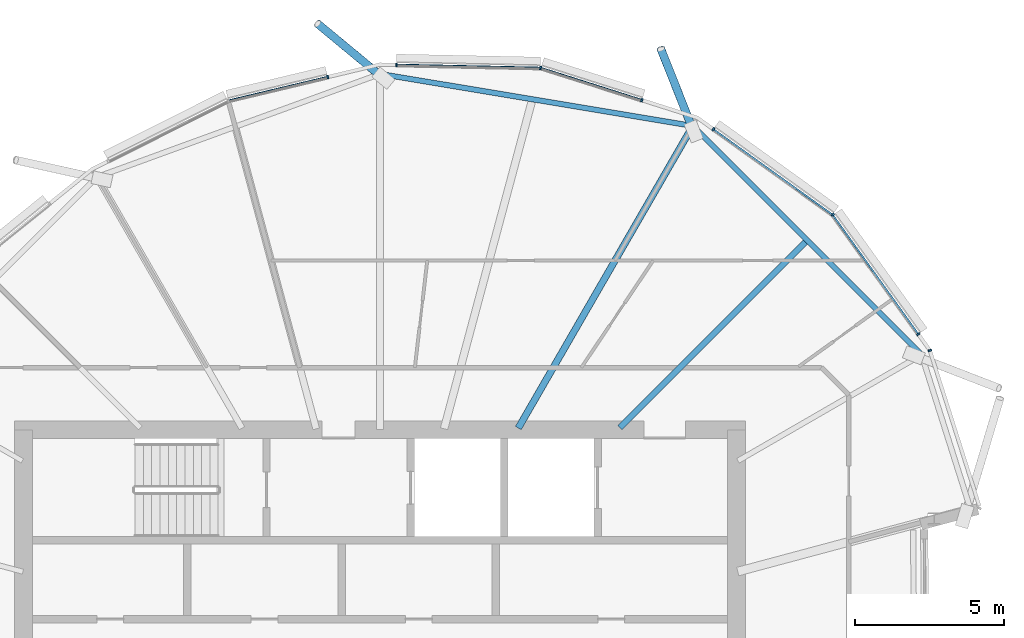
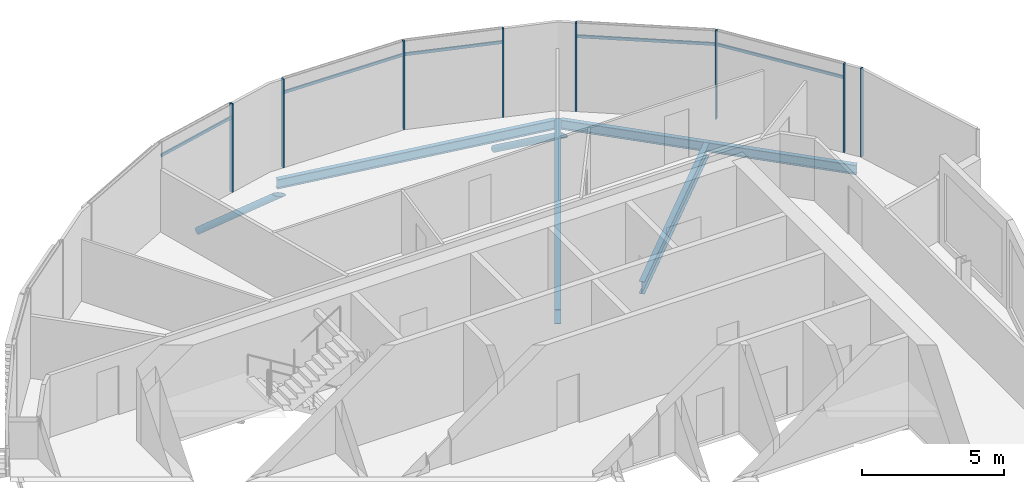
# One storey, part 16 of 36: 15 members, 4 beams, 1 element without a shape of its own.
"""IFC4 building model written with IfcOpenShell, lengths in metres."""

from ifc_helpers import new_model, si_unit, direction, frame, origin, origin_2d, place, context, subcontext, project, spatial, rectangle, hollow_circle, i_section, extrude, clip, halfspace, material, material_profile, profile_set, type_object, element, aggregate, save


model = new_model("IFC4")

# Units and contexts
model_context = context("Model", 3, precision=1e-05, world=origin(), true_north=direction((0.0, 1.0)))
body_context = subcontext(model_context, "Body", "Model", "MODEL_VIEW")
ifc_project = project(units=[si_unit("LENGTHUNIT", "METRE"), si_unit("AREAUNIT", "SQUARE_METRE"), si_unit("VOLUMEUNIT", "CUBIC_METRE"), si_unit("PLANEANGLEUNIT", "RADIAN"), si_unit("MASSUNIT", "GRAM", prefix="KILO")], contexts=[model_context])

# Site, building, storey
site_placement = place(None, origin())
site = spatial("IfcSite", under=ifc_project, at=site_placement, CompositionType="ELEMENT")
building_placement = place(site_placement, origin())
building = spatial("IfcBuilding", under=site, at=building_placement, Name="Rimbun Link Towers", CompositionType="ELEMENT")
storey_placement = place(building_placement, frame((0.0, 0.0, 200.699951171875)))
storey = spatial("IfcBuildingStorey", under=building, at=storey_placement, Name="L49", CompositionType="ELEMENT", Elevation=200.699951171875)

# Curtain wall, members
ifc_material_1 = material(Name="Aluminium 6063-T6 and low-iron glass", Category="aluminium")
curtain_wall_type = type_object("IfcCurtainWallType", Name="CW1-Z3 unitised vision wall (zone 3)", PredefinedType="NOTDEFINED", material=ifc_material_1)
curtain_wall_placement = place(storey_placement, origin())
curtain_wall = element("IfcCurtainWall", 1, at=curtain_wall_placement, inside=storey, type_object=curtain_wall_type, Name="CW1 L49 T2", PredefinedType="NOTDEFINED")
ifc_material_2 = material(Name="Aluminium 6063-T6", Category="aluminium")
ifc_material_profile_1 = material_profile(ifc_material_2, rectangle(XDim=0.1201171875, YDim=0.06005859375, at=origin_2d()), Name="MULLION 60X120")
ifc_profile_set_1 = profile_set([ifc_material_profile_1], Name="Aluminium 6063-T6")
member_type_1 = type_object("IfcMemberType", Name="CW1 mullion 60X120", PredefinedType="MULLION", material=ifc_profile_set_1)
member_1_placement = place(storey_placement, frame((42.964599609375, 18.118408203125, 0.0), z_axis=(0.0, 0.0, 1.0), x_axis=(0.583009333198, 0.81246545613, 0.0)))
member_1 = element("IfcMember", 2, at=member_1_placement, type_object=member_type_1, Name="CW1 mullion", PredefinedType="MULLION", context=body_context, shape_type="SweptSolid", body=[
    extrude(rectangle(XDim=0.1201171875, YDim=0.06005859375, at=origin_2d()), origin(), (0.0, 0.0, 1.0), 3.800048828125),
])
member_2_placement = place(storey_placement, frame((46.983642578125, 15.233642578125, 0.0), z_axis=(0.0, 0.0, 1.0), x_axis=(0.707106781187, 0.707106781187, 0.0)))
member_2 = element("IfcMember", 3, at=member_2_placement, type_object=member_type_1, Name="CW1 mullion", PredefinedType="MULLION", context=body_context, shape_type="SweptSolid", body=[
    extrude(rectangle(XDim=0.1201171875, YDim=0.06005859375, at=origin_2d()), origin(), (0.0, 0.0, 1.0), 3.800048828125),
])
member_3_placement = place(storey_placement, frame((37.1513671875, 20.1806640625, 0.0), z_axis=(0.0, 0.0, 1.0), x_axis=(0.16374971191, 0.9865019168, 0.0)))
member_3 = element("IfcMember", 4, at=member_3_placement, type_object=member_type_1, Name="CW1 mullion", PredefinedType="MULLION", context=body_context, shape_type="SweptSolid", body=[
    extrude(rectangle(XDim=0.1201171875, YDim=0.06005859375, at=origin_2d()), origin(), (0.0, 0.0, 1.0), 3.800048828125),
])
member_4_placement = place(storey_placement, frame((40.561279296875, 19.096923828125, 0.0), z_axis=(0.0, 0.0, 1.0), x_axis=(0.303071290464, 0.952967886603, 0.0)))
member_4 = element("IfcMember", 5, at=member_4_placement, type_object=member_type_1, Name="CW1 mullion", PredefinedType="MULLION", context=body_context, shape_type="SweptSolid", body=[
    extrude(rectangle(XDim=0.1201171875, YDim=0.06005859375, at=origin_2d()), origin(), (0.0, 0.0, 1.0), 3.800048828125),
])
member_5_placement = place(storey_placement, frame((32.301025390625, 20.283447265625, 0.0), z_axis=(0.0, 0.0, 1.0), x_axis=(0.021065527565, 0.999778097154, 0.0)))
member_5 = element("IfcMember", 6, at=member_5_placement, type_object=member_type_1, Name="CW1 mullion", PredefinedType="MULLION", context=body_context, shape_type="SweptSolid", body=[
    extrude(rectangle(XDim=0.1201171875, YDim=0.06005859375, at=origin_2d()), origin(), (0.0, 0.0, 1.0), 3.800048828125),
])
member_6_placement = place(storey_placement, frame((29.9853515625, 19.874755859375, 0.0), z_axis=(0.0, 0.0, 1.0), x_axis=(-0.23261560244, 0.972568754126, 0.0)))
member_6 = element("IfcMember", 7, at=member_6_placement, type_object=member_type_1, Name="CW1 mullion", PredefinedType="MULLION", context=body_context, shape_type="SweptSolid", body=[
    extrude(rectangle(XDim=0.1201171875, YDim=0.06005859375, at=origin_2d()), origin(), (0.0, 0.0, 1.0), 3.800048828125),
])
member_7_placement = place(storey_placement, frame((50.255859375, 10.669677734375, 0.0), z_axis=(0.0, 0.0, 1.0), x_axis=(0.952967886603, 0.303071290464, 0.0)))
member_7 = element("IfcMember", 8, at=member_7_placement, type_object=member_type_1, Name="CW1 mullion", PredefinedType="MULLION", context=body_context, shape_type="SweptSolid", body=[
    extrude(rectangle(XDim=0.1201171875, YDim=0.06005859375, at=origin_2d()), origin(), (0.0, 0.0, 1.0), 3.800048828125),
])
member_8_placement = place(storey_placement, frame((49.868408203125, 11.214599609375, 0.0), z_axis=(0.0, 0.0, 1.0), x_axis=(0.81246545613, 0.583009333198, 0.0)))
member_8 = element("IfcMember", 9, at=member_8_placement, type_object=member_type_1, Name="CW1 mullion", PredefinedType="MULLION", context=body_context, shape_type="SweptSolid", body=[
    extrude(rectangle(XDim=0.1201171875, YDim=0.06005859375, at=origin_2d()), origin(), (0.0, 0.0, 1.0), 3.800048828125),
])
ifc_material_3 = material(Name="Aluminium 6063-T6", Category="aluminium")
ifc_material_profile_2 = material_profile(ifc_material_3, rectangle(XDim=0.06005859375, YDim=0.1201171875, at=origin_2d()), Name="TRANSOM 60X120")
ifc_profile_set_2 = profile_set([ifc_material_profile_2], Name="Aluminium 6063-T6")
member_type_2 = type_object("IfcMemberType", Name="CW1 transom 60X120", PredefinedType="USERDEFINED", material=ifc_profile_set_2)
member_9_placement = place(storey_placement, frame((42.98779296875, 18.099365234375, 3.199951171875), z_axis=(0.812442893162, -0.583040775032, 0.0), x_axis=(0.583040775032, 0.812442893162, 0.0)))
member_9 = element("IfcMember", 10, at=member_9_placement, type_object=member_type_2, Name="CW1 transom", ObjectType="TRANSOM", PredefinedType="USERDEFINED", context=body_context, shape_type="SweptSolid", body=[
    extrude(rectangle(XDim=0.06005859375, YDim=0.1201171875, at=origin_2d()), origin(), (0.0, 0.0, 1.0), 4.87744140625),
])
member_10_placement = place(storey_placement, frame((37.187744140625, 20.167724609375, 3.199951171875), z_axis=(0.952955012801, -0.303111767468, 0.0), x_axis=(0.303111767468, 0.952955012801, 0.0)))
member_10 = element("IfcMember", 11, at=member_10_placement, type_object=member_type_2, Name="CW1 transom", ObjectType="TRANSOM", PredefinedType="USERDEFINED", context=body_context, shape_type="SweptSolid", body=[
    extrude(rectangle(XDim=0.06005859375, YDim=0.1201171875, at=origin_2d()), origin(), (0.0, 0.0, 1.0), 3.50927734375),
])
member_11_placement = place(storey_placement, frame((32.3310546875, 20.28076171875, 3.199951171875), z_axis=(0.999778828666, -0.021030781038, 0.0), x_axis=(0.021030781038, 0.999778828666, 0.0)))
member_11 = element("IfcMember", 12, at=member_11_placement, type_object=member_type_2, Name="CW1 transom", ObjectType="TRANSOM", PredefinedType="USERDEFINED", context=body_context, shape_type="SweptSolid", body=[
    extrude(rectangle(XDim=0.06005859375, YDim=0.1201171875, at=origin_2d()), origin(), (0.0, 0.0, 1.0), 4.78271484375),
])
member_12_placement = place(storey_placement, frame((26.670166015625, 19.079833984375, 3.199951171875), z_axis=(0.972581733642, 0.232561328227, 0.0), x_axis=(-0.232561328227, 0.972581733642, 0.0)))
member_12 = element("IfcMember", 13, at=member_12_placement, type_object=member_type_2, Name="CW1 transom", ObjectType="TRANSOM", PredefinedType="USERDEFINED", context=body_context, shape_type="SweptSolid", body=[
    extrude(rectangle(XDim=0.06005859375, YDim=0.1201171875, at=origin_2d()), origin(), (0.0, 0.0, 1.0), 3.37939453125),
])
member_13_placement = place(storey_placement, frame((47.005615234375, 15.200439453125, 3.199951171875), z_axis=(0.583040775032, -0.812442893162, 0.0), x_axis=(0.812442893162, 0.583040775032, 0.0)))
member_13 = element("IfcMember", 14, at=member_13_placement, type_object=member_type_2, Name="CW1 transom", ObjectType="TRANSOM", PredefinedType="USERDEFINED", context=body_context, shape_type="SweptSolid", body=[
    extrude(rectangle(XDim=0.06005859375, YDim=0.1201171875, at=origin_2d()), origin(), (0.0, 0.0, 1.0), 4.87744140625),
])
aggregate(curtain_wall, [member_1, member_2, member_3, member_4, member_5, member_6, member_7, member_8, member_9, member_10, member_11, member_12, member_13])

# Members
ifc_material_4 = material(Name="Steel S355J2H", Category="steel")
ifc_material_profile_3 = material_profile(ifc_material_4, hollow_circle(Radius=0.136474609375, WallThickness=0.012451171875, at=origin_2d()), Name="CHS 273x12.5")
ifc_profile_set_3 = profile_set([ifc_material_profile_3], Name="Steel S355J2H")
member_type_3 = type_object("IfcMemberType", Name="Floor edge link CHS 273x12.5", PredefinedType="BRACE", material=ifc_profile_set_3)
member_14_placement = place(storey_placement, frame((42.248291015625, 18.183837890625, -0.8681640625), z_axis=(-0.312384808712, 0.785965399635, -0.533548612465), x_axis=(-0.929290418342, -0.369349859047, 0.0)))
element("IfcMember", 15, at=member_14_placement, inside=storey, type_object=member_type_3, Name="Floor edge link T2 L49 01", PredefinedType="BRACE", context=body_context, shape_type="Clipping", body=[
    clip(extrude(hollow_circle(Radius=0.136474609375, WallThickness=0.012451171875, at=origin_2d()), frame((0.0, 0.0, -0.451416015625)), (0.0, 0.0, 1.0), 3.818359375), halfspace(frame((0.0, 0.0, -0.212890625), z_axis=(0.0, 0.845769400095, -0.533548612465)), False)),
])
member_15_placement = place(storey_placement, frame((31.75, 19.927978515625, -0.866943359375), z_axis=(-0.645315989044, 0.533951865343, -0.546317380082), x_axis=(-0.637494905239, -0.770454570883, 0.0)))
element("IfcMember", 16, at=member_15_placement, inside=storey, type_object=member_type_3, Name="Floor edge link T2 L49 03", PredefinedType="BRACE", context=body_context, shape_type="Clipping", body=[
    clip(extrude(hollow_circle(Radius=0.136474609375, WallThickness=0.012451171875, at=origin_2d()), frame((0.0, 0.0, -0.43701171875)), (0.0, 0.0, 1.0), 3.71435546875), halfspace(frame((0.0, 0.0, -0.205810546875), z_axis=(0.0, 0.837578247222, -0.546317380082)), False)),
])

# Beams
ifc_material_5 = material(Name="Steel S355J2", Category="steel")
ifc_material_profile_4 = material_profile(ifc_material_5, i_section(OverallWidth=0.177978515625, OverallDepth=0.406494140625, WebThickness=0.0078125, FlangeThickness=0.0126953125, at=origin_2d()), Name="UB 406x178x60")
ifc_profile_set_4 = profile_set([ifc_material_profile_4], Name="Steel S355J2")
beam_type_1 = type_object("IfcBeamType", Name="UB 406x178x60", PredefinedType="BEAM", material=ifc_profile_set_4)
beam_1_placement = place(storey_placement, frame((42.152587890625, 18.247314453125, -0.353271484375), z_axis=(-0.986440070616, 0.164121866563, 0.0), x_axis=(-0.164121866563, -0.986440070616, 0.0)))
element("IfcBeam", 17, at=beam_1_placement, inside=storey, type_object=beam_type_1, Name="Edge beam T2 L49 01-03", PredefinedType="BEAM", context=body_context, shape_type="SweptSolid", body=[
    extrude(i_section(OverallWidth=0.177978515625, OverallDepth=0.406494140625, WebThickness=0.0078125, FlangeThickness=0.0126953125, at=origin_2d()), origin(), (0.0, 0.0, 1.0), 10.42919921875),
])
beam_2_placement = place(storey_placement, frame((49.976318359375, 10.524169921875, -0.353271484375), z_axis=(-0.707106781187, 0.707106781187, 0.0), x_axis=(-0.707106781187, -0.707106781187, 0.0)))
element("IfcBeam", 18, at=beam_2_placement, inside=storey, type_object=beam_type_1, Name="Edge beam T2 L49 23-01", PredefinedType="BEAM", context=body_context, shape_type="SweptSolid", body=[
    extrude(i_section(OverallWidth=0.177978515625, OverallDepth=0.406494140625, WebThickness=0.0078125, FlangeThickness=0.0126953125, at=origin_2d()), origin(), (0.0, 0.0, 1.0), 10.774658203125),
])
ifc_material_6 = material(Name="Steel S355J2", Category="steel")
ifc_material_profile_5 = material_profile(ifc_material_6, i_section(OverallWidth=0.209228515625, OverallDepth=0.533203125, WebThickness=0.010009765625, FlangeThickness=0.015625, at=origin_2d()), Name="UB 533x210x92")
ifc_profile_set_5 = profile_set([ifc_material_profile_5], Name="Steel S355J2")
beam_type_2 = type_object("IfcBeamType", Name="UB 533x210x92", PredefinedType="BEAM", material=ifc_profile_set_5)
beam_3_placement = place(storey_placement, frame((39.82470703125, 8.07470703125, -0.41650390625), z_axis=(0.707106781187, 0.707106781187, 0.0), x_axis=(-0.707106781187, 0.707106781187, 0.0)))
element("IfcBeam", 19, at=beam_3_placement, inside=storey, type_object=beam_type_2, Name="Radial beam T2 L49 00", PredefinedType="BEAM", context=body_context, shape_type="SweptSolid", body=[
    extrude(i_section(OverallWidth=0.209228515625, OverallDepth=0.533203125, WebThickness=0.010009765625, FlangeThickness=0.015625, at=origin_2d()), origin(), (0.0, 0.0, 1.0), 8.820068359375),
])
ifc_material_7 = material(Name="Steel S355J2", Category="steel")
ifc_material_profile_6 = material_profile(ifc_material_7, i_section(OverallWidth=0.2275390625, OverallDepth=0.6025390625, WebThickness=0.010498046875, FlangeThickness=0.014892578125, at=origin_2d()), Name="UB 610x229x101")
ifc_profile_set_6 = profile_set([ifc_material_profile_6], Name="Steel S355J2")
beam_type_3 = type_object("IfcBeamType", Name="UB 610x229x101", PredefinedType="BEAM", material=ifc_profile_set_6)
beam_4_placement = place(storey_placement, frame((36.402099609375, 8.057861328125, -0.451171875), z_axis=(0.500009811963, 0.866019738771, 0.0), x_axis=(-0.866019738771, 0.500009811963, 0.0)))
element("IfcBeam", 20, at=beam_4_placement, inside=storey, type_object=beam_type_3, Name="Radial beam T2 L49 01", PredefinedType="BEAM", context=body_context, shape_type="SweptSolid", body=[
    extrude(i_section(OverallWidth=0.2275390625, OverallDepth=0.6025390625, WebThickness=0.010498046875, FlangeThickness=0.014892578125, at=origin_2d()), origin(), (0.0, 0.0, 1.0), 11.742431640625),
])

save(model, "model.ifc")
